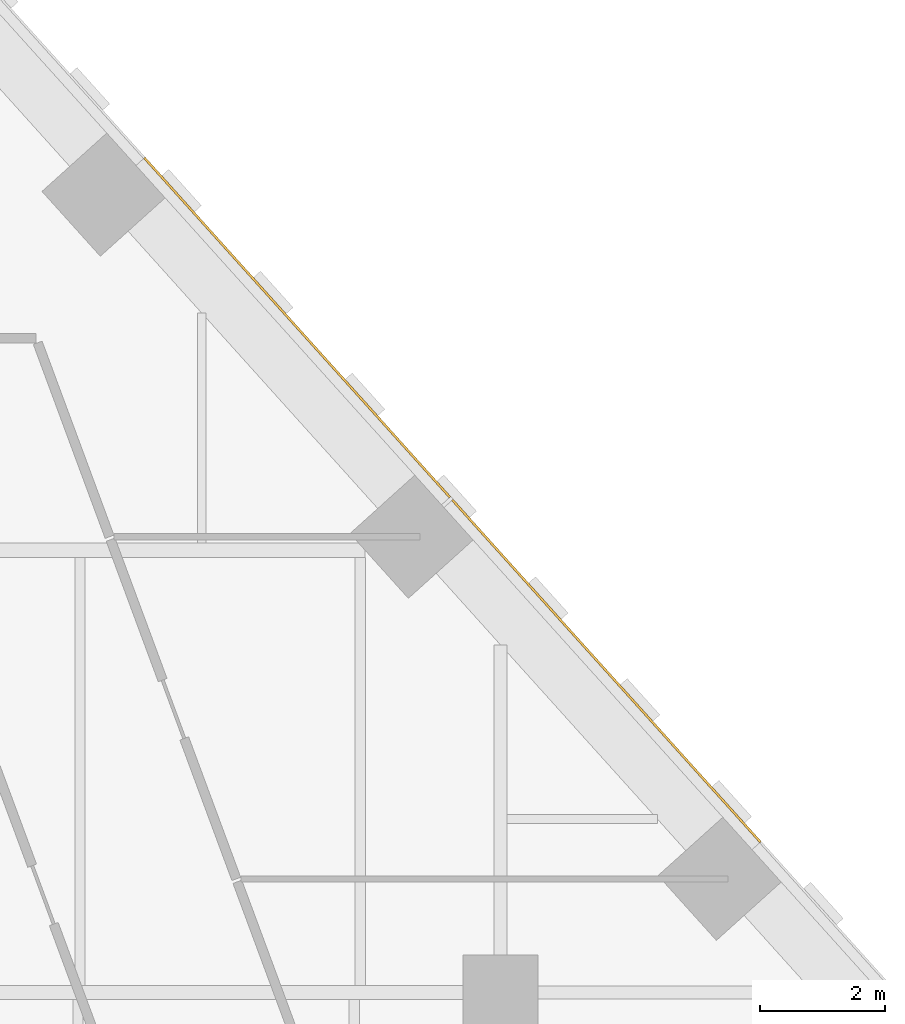
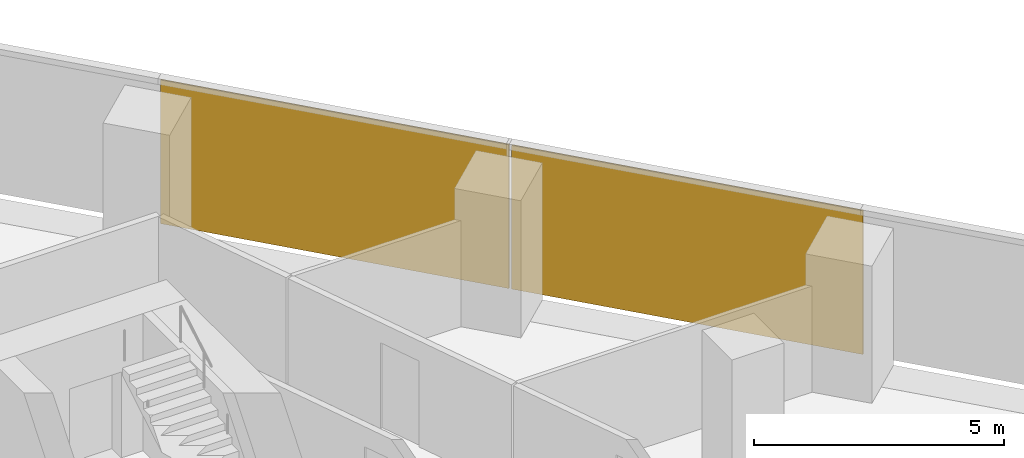
# One storey, part 17 of 17: 2 coverings, 1 element without a shape of its own.
"""IFC4 building model written with IfcOpenShell, lengths in metres."""

from ifc_helpers import new_model, si_unit, direction, frame, origin, origin_2d, place, context, subcontext, project, spatial, rectangle, extrude, material, layer, layer_set, type_object, element, aggregate, save


model = new_model("IFC4")

# Units and contexts
model_context = context("Model", 3, precision=1e-05, world=origin(), true_north=direction((0.0, 1.0)))
body_context = subcontext(model_context, "Body", "Model", "MODEL_VIEW")
ifc_project = project(units=[si_unit("LENGTHUNIT", "METRE"), si_unit("AREAUNIT", "SQUARE_METRE"), si_unit("VOLUMEUNIT", "CUBIC_METRE"), si_unit("PLANEANGLEUNIT", "RADIAN"), si_unit("MASSUNIT", "GRAM", prefix="KILO")], contexts=[model_context])

# Site, building, storey
site_placement = place(None, origin())
site = spatial("IfcSite", under=ifc_project, at=site_placement, CompositionType="ELEMENT")
building_placement = place(site_placement, origin())
building = spatial("IfcBuilding", under=site, at=building_placement, Name="Isthmus Gate Tower", CompositionType="ELEMENT")
storey_placement = place(building_placement, frame((0.0, 0.0, 162.64990234375)))
storey = spatial("IfcBuildingStorey", under=building, at=storey_placement, Name="L40", CompositionType="ELEMENT", Elevation=162.64990234375)

# Curtain wall, coverings
ifc_material_1 = material(Name="Aluminium, pale champagne anodised", Category="aluminium")
ifc_layer_1 = layer(ifc_material_1, 0.199951171875)
ifc_layer_set_1 = layer_set([ifc_layer_1], Name="CW-1 UNITISED CURTAIN WALL 200 DEEP")
curtain_wall_type = type_object("IfcCurtainWallType", Name="CW-1 UNITISED CURTAIN WALL 200 DEEP", PredefinedType="NOTDEFINED", material=ifc_layer_set_1)
curtain_wall_placement = place(storey_placement, origin())
curtain_wall = element("IfcCurtainWall", 1, at=curtain_wall_placement, inside=storey, type_object=curtain_wall_type, Name="CW-1 NE L40", PredefinedType="NOTDEFINED")
ifc_material_2 = material(Name="Aluminium composite panel, pale champagne anodised", Category="aluminium")
ifc_layer_2 = layer(ifc_material_2, 0.035888671875)
ifc_layer_set_2 = layer_set([ifc_layer_2], Name="CW-1 PALE METAL PANEL 36")
covering_type = type_object("IfcCoveringType", Name="CW-1 PALE METAL PANEL 36", PredefinedType="CLADDING", material=ifc_layer_set_2)
covering_1_placement = place(storey_placement, frame((25.70068359375, 12.659423828125, 0.0), z_axis=(0.0, 0.0, 1.0), x_axis=(-0.669130606359, 0.743144825477, 0.0)))
covering_1 = element("IfcCovering", 2, at=covering_1_placement, type_object=covering_type, Name="CW-1 pale metal panel", PredefinedType="CLADDING", context=body_context, shape_type="SweptSolid", body=[
    extrude(rectangle(XDim=7.390869140625, YDim=0.035888671875, at=origin_2d()), origin(), (0.0, 0.0, 1.0), 3.510009765625),
])
covering_2_placement = place(storey_placement, frame((20.735107421875, 18.17431640625, 0.0), z_axis=(0.0, 0.0, 1.0), x_axis=(-0.669130606359, 0.743144825477, 0.0)))
covering_2 = element("IfcCovering", 3, at=covering_2_placement, type_object=covering_type, Name="CW-1 pale metal panel", PredefinedType="CLADDING", context=body_context, shape_type="SweptSolid", body=[
    extrude(rectangle(XDim=7.330810546875, YDim=0.035888671875, at=origin_2d()), origin(), (0.0, 0.0, 1.0), 3.510009765625),
])
aggregate(curtain_wall, [covering_1, covering_2])

save(model, "model.ifc")
